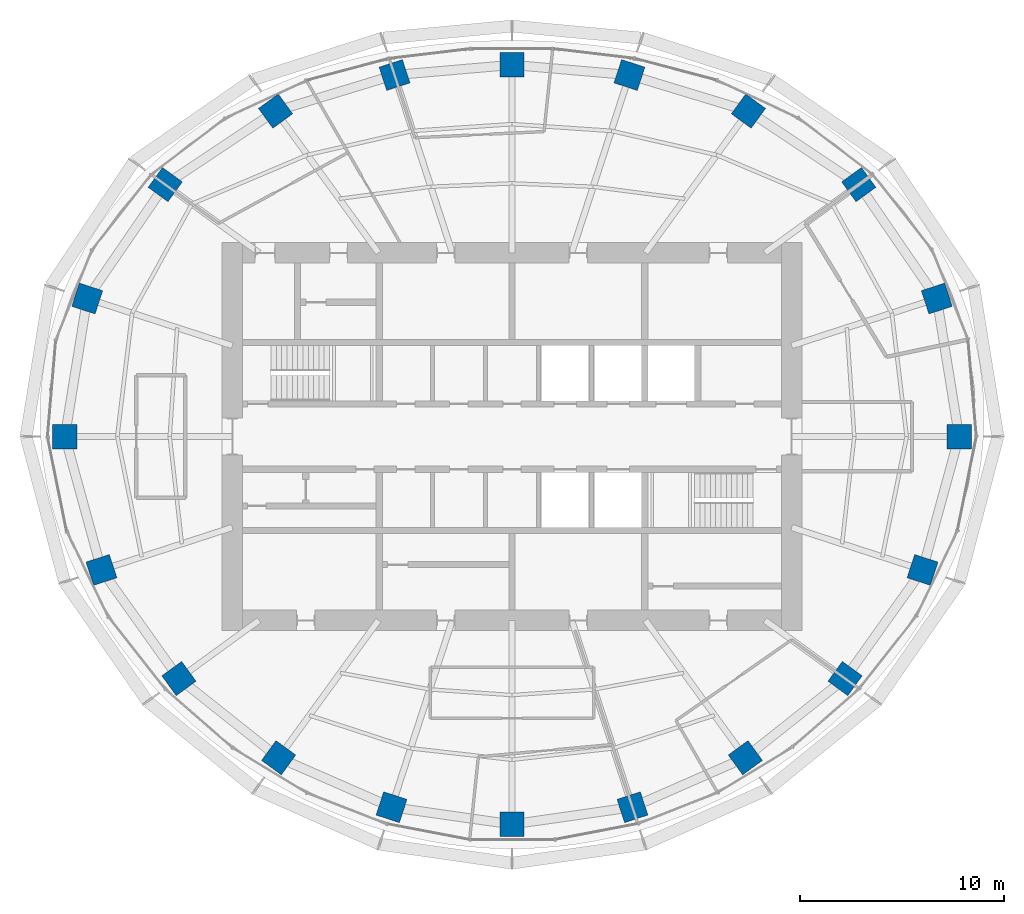
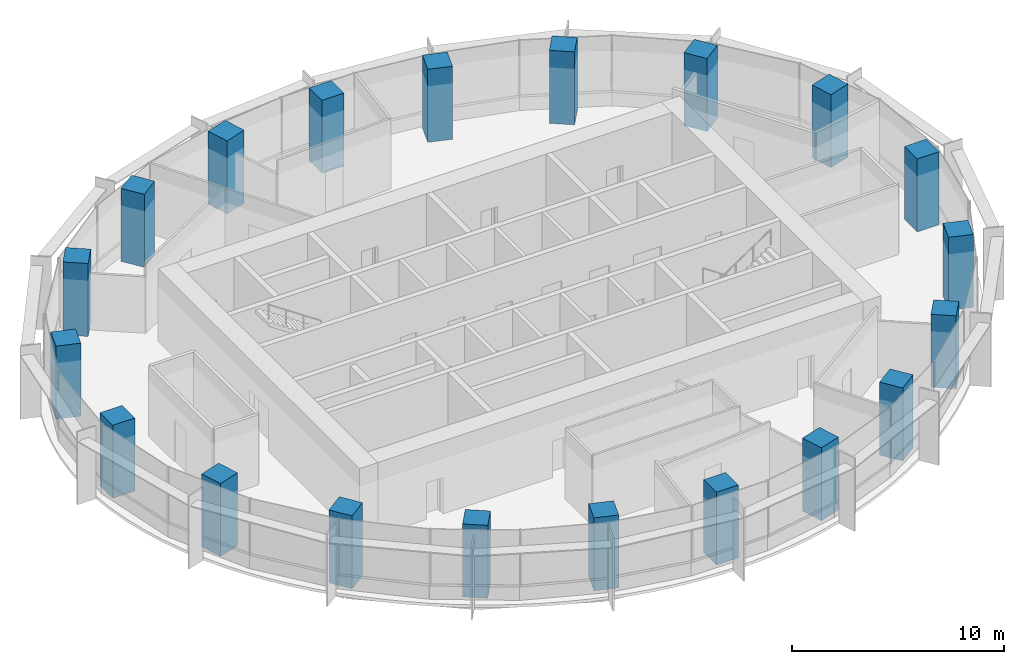
# One storey, part 1 of 13: 20 columns.
"""IFC4 building model written with IfcOpenShell, lengths in metres."""

from ifc_helpers import new_model, si_unit, direction, frame, origin, origin_2d, place, context, subcontext, project, spatial, rectangle, extrude, material, material_profile, profile_set, type_object, element, save


model = new_model("IFC4")

# Units and contexts
model_context = context("Model", 3, precision=1e-05, world=origin(), true_north=direction((0.0, 1.0)))
body_context = subcontext(model_context, "Body", "Model", "MODEL_VIEW")
ifc_project = project(units=[si_unit("LENGTHUNIT", "METRE"), si_unit("AREAUNIT", "SQUARE_METRE"), si_unit("VOLUMEUNIT", "CUBIC_METRE"), si_unit("PLANEANGLEUNIT", "RADIAN"), si_unit("MASSUNIT", "GRAM", prefix="KILO")], contexts=[model_context])

# Site, building, storey
site_placement = place(None, origin())
site = spatial("IfcSite", under=ifc_project, at=site_placement, CompositionType="ELEMENT")
building_placement = place(site_placement, origin())
building = spatial("IfcBuilding", under=site, at=building_placement, Name="Marramba Exchange Tower", CompositionType="ELEMENT")
storey_placement = place(building_placement, frame((0.0, 0.0, 256.0)))
storey = spatial("IfcBuildingStorey", under=building, at=storey_placement, Name="L62", CompositionType="ELEMENT", Elevation=256.0)

# Columns
ifc_material = material(Name="Concrete N50", Category="concrete")
ifc_material_profile = material_profile(ifc_material, rectangle(XDim=1.199951171875, YDim=1.199951171875, at=origin_2d()), Name="RC 1200x1200")
ifc_profile_set = profile_set([ifc_material_profile], Name="Concrete N50")
column_type = type_object("IfcColumnType", Name="Perimeter column RC 1200x1200 N50", PredefinedType="COLUMN", material=ifc_profile_set)
for number, where, z_axis, x_axis, name in (
    (1, (21.89990234375, 0.0, 0.0), (0.0, 0.0, 1.0), (1.0, 0.0, 0.0), "Column TC01 L62"),
    (2, (20.808349609375, 6.760986328125, 0.0), (0.0, 0.0, 1.0), (0.951056516295, 0.309016994375, 0.0), "Column TC02 L62"),
    (3, (16.98583984375, 12.3408203125, 0.0), (0.0, 0.0, 1.0), (0.809016994375, 0.587785252292, 0.0), "Column TC03 L62"),
    (4, (11.581298828125, 15.9404296875, 0.0), (0.0, 0.0, 1.0), (0.587785252292, 0.809016994375, 0.0), "Column TC04 L62"),
    (5, (5.75390625, 17.70849609375, 0.0), (0.0, 0.0, 1.0), (0.309016994375, 0.951056516295, 0.0), "Column TC05 L62"),
    (6, (0.0, 18.2041015625, 0.0), (0.0, 0.0, 1.0), (0.0, 1.0, 0.0), "Column TC06 L62"),
    (7, (-5.75390625, 17.70849609375, 0.0), (0.0, 0.0, 1.0), (-0.309016994375, 0.951056516295, 0.0), "Column TC07 L62"),
    (8, (-11.581298828125, 15.9404296875, 0.0), (0.0, 0.0, 1.0), (-0.587785252292, 0.809016994375, 0.0), "Column TC08 L62"),
    (9, (-16.98583984375, 12.3408203125, 0.0), (0.0, 0.0, 1.0), (-0.809016994375, 0.587785252292, 0.0), "Column TC09 L62"),
    (10, (-20.808349609375, 6.760986328125, 0.0), (0.0, 0.0, 1.0), (-0.951056516295, 0.309016994375, 0.0), "Column TC10 L62"),
    (11, (-21.89990234375, 0.0, 0.0), (0.0, 0.0, 1.0), (-1.0, 0.0, 0.0), "Column TC11 L62"),
    (12, (-20.109375, -6.533935546875, 0.0), (0.0, 0.0, 1.0), (-0.951056516295, -0.309016994375, 0.0), "Column TC12 L62"),
    (13, (-16.3154296875, -11.853759765625, 0.0), (0.0, 0.0, 1.0), (-0.809016994375, -0.587785252292, 0.0), "Column TC13 L62"),
    (14, (-11.430419921875, -15.732666015625, 0.0), (0.0, 0.0, 1.0), (-0.587785252292, -0.809016994375, 0.0), "Column TC14 L62"),
    (15, (-5.899658203125, -18.156982421875, 0.0), (0.0, 0.0, 1.0), (-0.309016994375, -0.951056516295, 0.0), "Column TC15 L62"),
    (16, (0.0, -18.99609375, 0.0), (0.0, 0.0, 1.0), (0.0, -1.0, 0.0), "Column TC16 L62"),
    (17, (5.899658203125, -18.156982421875, 0.0), (0.0, 0.0, 1.0), (0.309016994375, -0.951056516295, 0.0), "Column TC17 L62"),
    (18, (11.430419921875, -15.732666015625, 0.0), (0.0, 0.0, 1.0), (0.587785252292, -0.809016994375, 0.0), "Column TC18 L62"),
    (19, (16.3154296875, -11.853759765625, 0.0), (0.0, 0.0, 1.0), (0.809016994375, -0.587785252292, 0.0), "Column TC19 L62"),
    (20, (20.109375, -6.533935546875, 0.0), (0.0, 0.0, 1.0), (0.951056516295, -0.309016994375, 0.0), "Column TC20 L62"),
):
    element("IfcColumn", number, at=place(storey_placement, frame(where, z_axis=z_axis, x_axis=x_axis)), inside=storey, type_object=column_type, Name=name, PredefinedType="COLUMN", context=body_context, shape_type="SweptSolid", body=[
        extrude(rectangle(XDim=1.199951171875, YDim=1.199951171875, at=origin_2d()), origin(), (0.0, 0.0, 1.0), 4.199951171875),
    ])

save(model, "model.ifc")
